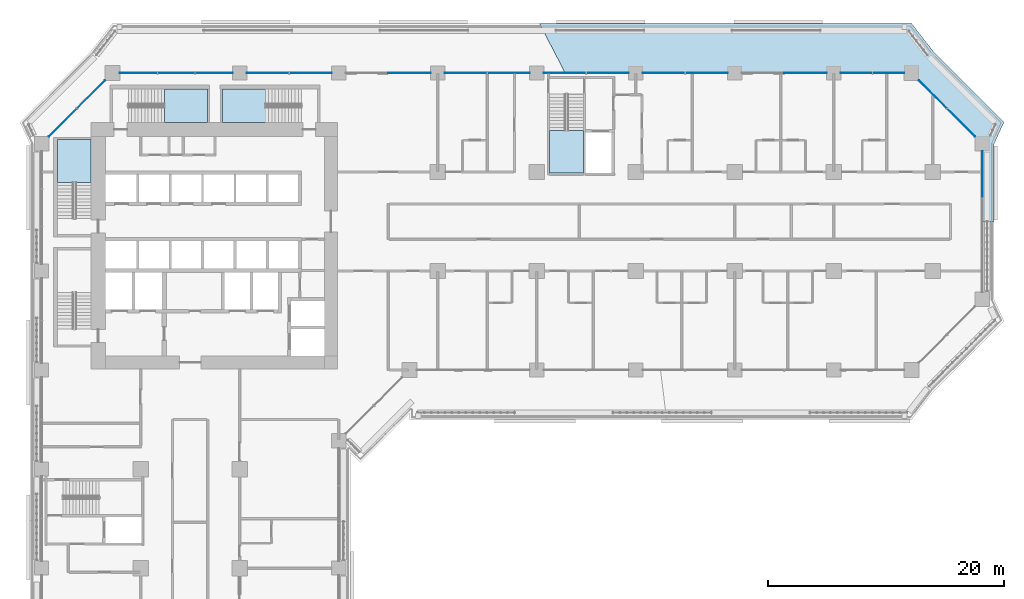
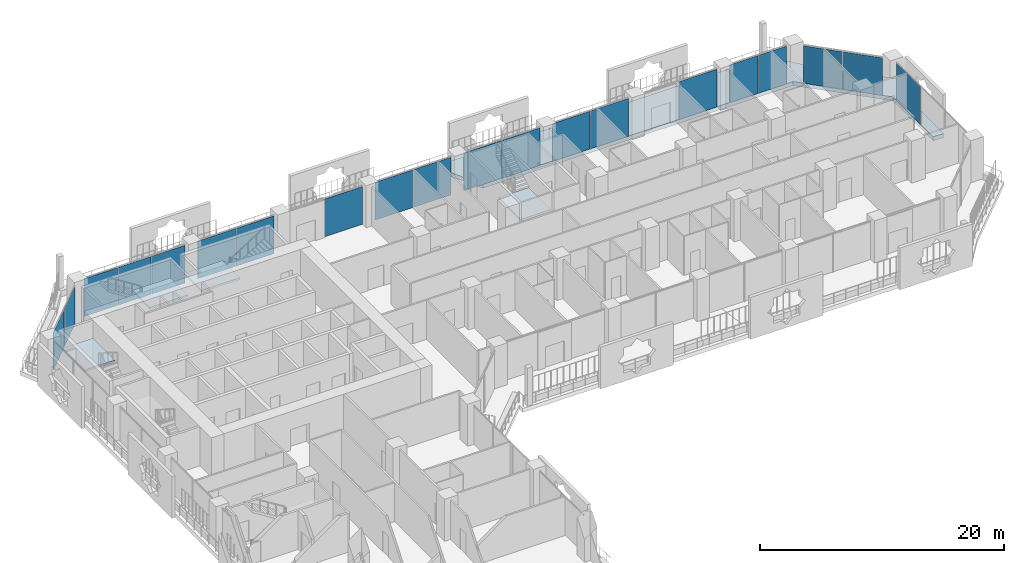
# One storey, part 12 of 28: 20 plates, 5 slabs, 8 elements without a shape of their own.
"""IFC4 building model written with IfcOpenShell, lengths in metres."""

from ifc_helpers import new_model, si_unit, direction, frame, origin, origin_2d, place, context, subcontext, project, spatial, polyline, rectangle, outline, extrude, material, layer, layer_set, type_object, element, aggregate, save


model = new_model("IFC4")

# Units and contexts
model_context = context("Model", 3, precision=1e-05, world=origin(), true_north=direction((0.0, 1.0)))
body_context = subcontext(model_context, "Body", "Model", "MODEL_VIEW")
ifc_project = project(units=[si_unit("LENGTHUNIT", "METRE"), si_unit("AREAUNIT", "SQUARE_METRE"), si_unit("VOLUMEUNIT", "CUBIC_METRE"), si_unit("PLANEANGLEUNIT", "RADIAN"), si_unit("MASSUNIT", "GRAM", prefix="KILO")], contexts=[model_context])

# Site, building, storey
site_placement = place(None, origin())
site = spatial("IfcSite", under=ifc_project, at=site_placement, CompositionType="ELEMENT")
building_placement = place(site_placement, origin())
building = spatial("IfcBuilding", under=site, at=building_placement, Name="Kawkab Arch Medical Tower", CompositionType="ELEMENT")
storey_placement = place(building_placement, frame((0.0, 0.0, 77.0)))
storey = spatial("IfcBuildingStorey", under=building, at=storey_placement, Name="L17", CompositionType="ELEMENT", Elevation=77.0)

# Curtain wall, plate
ifc_material_1 = material(Name="Bronze anodised aluminium curtain wall frame", Category="aluminium")
ifc_layer_1 = layer(ifc_material_1, 0.159912109375)
ifc_layer_set_1 = layer_set([ifc_layer_1], Name="Bronze anodised aluminium curtain wall frame")
curtain_wall_type_1 = type_object("IfcCurtainWallType", Name="CW1 ward curtain wall", PredefinedType="NOTDEFINED", material=ifc_layer_set_1)
placement_1 = place(storey_placement, origin())
curtain_wall_1 = element("IfcCurtainWall", 1, at=placement_1, inside=storey, type_object=curtain_wall_type_1, Name="CW1 Ward curtain wall R09", PredefinedType="NOTDEFINED")
ifc_material_2 = material(Name="Tinted insulating glass, bronze low-e coating", Category="glass")
ifc_layer_2 = layer(ifc_material_2, 0.031982421875)
ifc_layer_set_2 = layer_set([ifc_layer_2], Name="Tinted insulating glass, bronze low-e coating")
plate_type_1 = type_object("IfcPlateType", Name="CW1 glazing unit 32", PredefinedType="CURTAIN_PANEL", material=ifc_layer_set_2)
plate_1_placement = place(storey_placement, frame((79.800048828125, -8.6015625, 0.0), z_axis=(0.0, 0.0, 1.0), x_axis=(0.0, 1.0, 0.0)))
plate_1 = element("IfcPlate", 2, at=plate_1_placement, type_object=plate_type_1, Name="CW1 glazing unit 1.3", PredefinedType="CURTAIN_PANEL", context=body_context, shape_type="SweptSolid", body=[
    extrude(rectangle(XDim=3.953369140625, YDim=0.031982421875, at=origin_2d()), origin(), (0.0, 0.0, 1.0), 3.780029296875),
])
aggregate(curtain_wall_1, [plate_1])

# Curtain wall, plates
curtain_wall_2 = element("IfcCurtainWall", 3, at=placement_1, inside=storey, type_object=curtain_wall_type_1, Name="CW1 Ward curtain wall R11", PredefinedType="NOTDEFINED")
plate_2_placement = place(storey_placement, frame((71.84619140625, 0.0, 0.0), z_axis=(0.0, 0.0, 1.0), x_axis=(-1.0, 0.0, 0.0)))
plate_2 = element("IfcPlate", 4, at=plate_2_placement, type_object=plate_type_1, Name="CW1 glazing unit 1.1", PredefinedType="CURTAIN_PANEL", context=body_context, shape_type="SweptSolid", body=[
    extrude(rectangle(XDim=2.657470703125, YDim=0.031982421875, at=origin_2d()), origin(), (0.0, 0.0, 1.0), 3.780029296875),
])
plate_3_placement = place(storey_placement, frame((69.128662109375, 0.0, 0.0), z_axis=(0.0, 0.0, 1.0), x_axis=(-1.0, 0.0, 0.0)))
plate_3 = element("IfcPlate", 5, at=plate_3_placement, type_object=plate_type_1, Name="CW1 glazing unit 1.2", PredefinedType="CURTAIN_PANEL", context=body_context, shape_type="SweptSolid", body=[
    extrude(rectangle(XDim=2.657470703125, YDim=0.031982421875, at=origin_2d()), origin(), (0.0, 0.0, 1.0), 3.780029296875),
])
plate_4_placement = place(storey_placement, frame((64.800048828125, 0.0, 0.0), z_axis=(0.0, 0.0, 1.0), x_axis=(-1.0, 0.0, 0.0)))
plate_4 = element("IfcPlate", 6, at=plate_4_placement, type_object=plate_type_1, Name="CW1 glazing unit 2.1", PredefinedType="CURTAIN_PANEL", context=body_context, shape_type="SweptSolid", body=[
    extrude(rectangle(XDim=3.60009765625, YDim=0.031982421875, at=origin_2d()), origin(), (0.0, 0.0, 1.0), 3.780029296875),
])
plate_5_placement = place(storey_placement, frame((56.4150390625, 0.0, 0.0), z_axis=(0.0, 0.0, 1.0), x_axis=(-1.0, 0.0, 0.0)))
plate_5 = element("IfcPlate", 7, at=plate_5_placement, type_object=plate_type_1, Name="CW1 glazing unit 3.1", PredefinedType="CURTAIN_PANEL", context=body_context, shape_type="SweptSolid", body=[
    extrude(rectangle(XDim=3.570068359375, YDim=0.031982421875, at=origin_2d()), origin(), (0.0, 0.0, 1.0), 3.780029296875),
])
plate_6_placement = place(storey_placement, frame((52.784912109375, 0.0, 0.0), z_axis=(0.0, 0.0, 1.0), x_axis=(-1.0, 0.0, 0.0)))
plate_6 = element("IfcPlate", 8, at=plate_6_placement, type_object=plate_type_1, Name="CW1 glazing unit 3.2", PredefinedType="CURTAIN_PANEL", context=body_context, shape_type="SweptSolid", body=[
    extrude(rectangle(XDim=3.570068359375, YDim=0.031982421875, at=origin_2d()), origin(), (0.0, 0.0, 1.0), 3.780029296875),
])
plate_7_placement = place(storey_placement, frame((48.014892578125, 0.0, 0.0), z_axis=(0.0, 0.0, 1.0), x_axis=(-1.0, 0.0, 0.0)))
plate_7 = element("IfcPlate", 9, at=plate_7_placement, type_object=plate_type_1, Name="CW1 glazing unit 4.1", PredefinedType="CURTAIN_PANEL", context=body_context, shape_type="SweptSolid", body=[
    extrude(rectangle(XDim=3.570068359375, YDim=0.031982421875, at=origin_2d()), origin(), (0.0, 0.0, 1.0), 3.780029296875),
])
plate_8_placement = place(storey_placement, frame((44.385009765625, 0.0, 0.0), z_axis=(0.0, 0.0, 1.0), x_axis=(-1.0, 0.0, 0.0)))
plate_8 = element("IfcPlate", 10, at=plate_8_placement, type_object=plate_type_1, Name="CW1 glazing unit 4.2", PredefinedType="CURTAIN_PANEL", context=body_context, shape_type="SweptSolid", body=[
    extrude(rectangle(XDim=3.570068359375, YDim=0.031982421875, at=origin_2d()), origin(), (0.0, 0.0, 1.0), 3.780029296875),
])
plate_9_placement = place(storey_placement, frame((39.614990234375, 0.0, 0.0), z_axis=(0.0, 0.0, 1.0), x_axis=(-1.0, 0.0, 0.0)))
plate_9 = element("IfcPlate", 11, at=plate_9_placement, type_object=plate_type_1, Name="CW1 glazing unit 5.1", PredefinedType="CURTAIN_PANEL", context=body_context, shape_type="SweptSolid", body=[
    extrude(rectangle(XDim=3.570068359375, YDim=0.031982421875, at=origin_2d()), origin(), (0.0, 0.0, 1.0), 3.780029296875),
])
plate_10_placement = place(storey_placement, frame((35.985107421875, 0.0, 0.0), z_axis=(0.0, 0.0, 1.0), x_axis=(-1.0, 0.0, 0.0)))
plate_10 = element("IfcPlate", 12, at=plate_10_placement, type_object=plate_type_1, Name="CW1 glazing unit 5.2", PredefinedType="CURTAIN_PANEL", context=body_context, shape_type="SweptSolid", body=[
    extrude(rectangle(XDim=3.570068359375, YDim=0.031982421875, at=origin_2d()), origin(), (0.0, 0.0, 1.0), 3.780029296875),
])
plate_11_placement = place(storey_placement, frame((31.199951171875, 0.0, 0.0), z_axis=(0.0, 0.0, 1.0), x_axis=(-1.0, 0.0, 0.0)))
plate_11 = element("IfcPlate", 13, at=plate_11_placement, type_object=plate_type_1, Name="CW1 glazing unit 6.1", PredefinedType="CURTAIN_PANEL", context=body_context, shape_type="SweptSolid", body=[
    extrude(rectangle(XDim=3.60009765625, YDim=0.031982421875, at=origin_2d()), origin(), (0.0, 0.0, 1.0), 3.780029296875),
])
plate_12_placement = place(storey_placement, frame((22.81494140625, 0.0, 0.0), z_axis=(0.0, 0.0, 1.0), x_axis=(-1.0, 0.0, 0.0)))
plate_12 = element("IfcPlate", 14, at=plate_12_placement, type_object=plate_type_1, Name="CW1 glazing unit 7.1", PredefinedType="CURTAIN_PANEL", context=body_context, shape_type="SweptSolid", body=[
    extrude(rectangle(XDim=3.570068359375, YDim=0.031982421875, at=origin_2d()), origin(), (0.0, 0.0, 1.0), 3.780029296875),
])
plate_13_placement = place(storey_placement, frame((19.18505859375, 0.0, 0.0), z_axis=(0.0, 0.0, 1.0), x_axis=(-1.0, 0.0, 0.0)))
plate_13 = element("IfcPlate", 15, at=plate_13_placement, type_object=plate_type_1, Name="CW1 glazing unit 7.2", PredefinedType="CURTAIN_PANEL", context=body_context, shape_type="SweptSolid", body=[
    extrude(rectangle(XDim=3.570068359375, YDim=0.031982421875, at=origin_2d()), origin(), (0.0, 0.0, 1.0), 3.780029296875),
])
plate_14_placement = place(storey_placement, frame((14.619140625, 0.0, 0.0), z_axis=(0.0, 0.0, 1.0), x_axis=(-1.0, 0.0, 0.0)))
plate_14 = element("IfcPlate", 16, at=plate_14_placement, type_object=plate_type_1, Name="CW1 glazing unit 8.1", PredefinedType="CURTAIN_PANEL", context=body_context, shape_type="SweptSolid", body=[
    extrude(rectangle(XDim=3.16162109375, YDim=0.031982421875, at=origin_2d()), origin(), (0.0, 0.0, 1.0), 3.780029296875),
])
plate_15_placement = place(storey_placement, frame((11.41259765625, 0.0, 0.0), z_axis=(0.0, 0.0, 1.0), x_axis=(-1.0, 0.0, 0.0)))
plate_15 = element("IfcPlate", 17, at=plate_15_placement, type_object=plate_type_1, Name="CW1 glazing unit 8.2", PredefinedType="CURTAIN_PANEL", context=body_context, shape_type="SweptSolid", body=[
    extrude(rectangle(XDim=3.131591796875, YDim=0.031982421875, at=origin_2d()), origin(), (0.0, 0.0, 1.0), 3.780029296875),
])
plate_16_placement = place(storey_placement, frame((8.205810546875, 0.0, 0.0), z_axis=(0.0, 0.0, 1.0), x_axis=(-1.0, 0.0, 0.0)))
plate_16 = element("IfcPlate", 18, at=plate_16_placement, type_object=plate_type_1, Name="CW1 glazing unit 8.3", PredefinedType="CURTAIN_PANEL", context=body_context, shape_type="SweptSolid", body=[
    extrude(rectangle(XDim=3.16162109375, YDim=0.031982421875, at=origin_2d()), origin(), (0.0, 0.0, 1.0), 3.780029296875),
])
aggregate(curtain_wall_2, [plate_2, plate_3, plate_4, plate_5, plate_6, plate_7, plate_8, plate_9, plate_10, plate_11, plate_12, plate_13, plate_14, plate_15, plate_16])

ifc_material_3 = material(Name="Bronze anodised aluminium curtain wall frame", Category="aluminium")
ifc_layer_3 = layer(ifc_material_3, 0.159912109375)
ifc_layer_set_3 = layer_set([ifc_layer_3], Name="Bronze anodised aluminium curtain wall frame")
curtain_wall_type_2 = type_object("IfcCurtainWallType", Name="CW2 chamfer curtain wall", PredefinedType="NOTDEFINED", material=ifc_layer_set_3)
curtain_wall_3 = element("IfcCurtainWall", 19, at=placement_1, inside=storey, type_object=curtain_wall_type_2, Name="CW2 Chamfer curtain wall R10", PredefinedType="NOTDEFINED")
ifc_material_4 = material(Name="Tinted insulating glass, bronze low-e coating", Category="glass")
ifc_layer_4 = layer(ifc_material_4, 0.031982421875)
ifc_layer_set_4 = layer_set([ifc_layer_4], Name="Tinted insulating glass, bronze low-e coating")
plate_type_2 = type_object("IfcPlateType", Name="CW2 glazing unit 32", PredefinedType="CURTAIN_PANEL", material=ifc_layer_set_4)
plate_17_placement = place(storey_placement, frame((77.998046875, -4.197998046875, 0.0), z_axis=(0.0, 0.0, 1.0), x_axis=(-0.707106781187, 0.707106781187, 0.0)))
plate_17 = element("IfcPlate", 20, at=plate_17_placement, type_object=plate_type_2, Name="CW2 glazing unit 1.1", PredefinedType="CURTAIN_PANEL", context=body_context, shape_type="SweptSolid", body=[
    extrude(rectangle(XDim=3.328857421875, YDim=0.031982421875, at=origin_2d()), origin(), (0.0, 0.0, 1.0), 3.760009765625),
])
plate_18_placement = place(storey_placement, frame((75.601806640625, -1.802001953125, 0.0), z_axis=(0.0, 0.0, 1.0), x_axis=(-0.707106781187, 0.707106781187, 0.0)))
plate_18 = element("IfcPlate", 21, at=plate_18_placement, type_object=plate_type_2, Name="CW2 glazing unit 1.2", PredefinedType="CURTAIN_PANEL", context=body_context, shape_type="SweptSolid", body=[
    extrude(rectangle(XDim=3.328857421875, YDim=0.031982421875, at=origin_2d()), origin(), (0.0, 0.0, 1.0), 3.760009765625),
])
aggregate(curtain_wall_3, [plate_17, plate_18])

curtain_wall_4 = element("IfcCurtainWall", 22, at=placement_1, inside=storey, type_object=curtain_wall_type_2, Name="CW2 Chamfer curtain wall R12", PredefinedType="NOTDEFINED")
plate_19_placement = place(storey_placement, frame((4.197998046875, -1.802001953125, 0.0), z_axis=(0.0, 0.0, 1.0), x_axis=(-0.707106781187, -0.707106781187, 0.0)))
plate_19 = element("IfcPlate", 23, at=plate_19_placement, type_object=plate_type_2, Name="CW2 glazing unit 1.1", PredefinedType="CURTAIN_PANEL", context=body_context, shape_type="SweptSolid", body=[
    extrude(rectangle(XDim=3.328857421875, YDim=0.031982421875, at=origin_2d()), origin(), (0.0, 0.0, 1.0), 3.760009765625),
])
plate_20_placement = place(storey_placement, frame((1.802001953125, -4.197998046875, 0.0), z_axis=(0.0, 0.0, 1.0), x_axis=(-0.707106781187, -0.707106781187, 0.0)))
plate_20 = element("IfcPlate", 24, at=plate_20_placement, type_object=plate_type_2, Name="CW2 glazing unit 1.2", PredefinedType="CURTAIN_PANEL", context=body_context, shape_type="SweptSolid", body=[
    extrude(rectangle(XDim=3.328857421875, YDim=0.031982421875, at=origin_2d()), origin(), (0.0, 0.0, 1.0), 3.760009765625),
])
aggregate(curtain_wall_4, [plate_19, plate_20])

# Stair, slab
ifc_material_5 = material(Name="Concrete C40/50", Category="concrete")
stair_type = type_object("IfcStairType", Name="Exit stair 1350", PredefinedType="HALF_TURN_STAIR", material=ifc_material_5)
stair_1 = element("IfcStair", 25, at=placement_1, inside=storey, type_object=stair_type, Name="L17 Exit stair ST1", PredefinedType="HALF_TURN_STAIR")
ifc_material_6 = material(Name="Concrete C40/50", Category="concrete")
ifc_layer_5 = layer(ifc_material_6, 0.199951171875)
ifc_layer_set_5 = layer_set([ifc_layer_5], Name="Concrete C40/50")
slab_type_1 = type_object("IfcSlabType", Name="Exit stair landing 200", PredefinedType="LANDING", material=ifc_layer_set_5)
placement_2 = place(storey_placement, frame((0.0, 0.0, 1.89990234375)))
slab_1 = element("IfcSlab", 26, at=placement_2, type_object=slab_type_1, Name="ST1 landing 1", PredefinedType="LANDING", context=body_context, shape_type="SweptSolid", body=[
    extrude(outline(polyline([(4.199951171875, -9.27001953125), (4.199951171875, -5.64990234375), (1.35009765625, -5.64990234375), (1.35009765625, -9.27001953125), (4.199951171875, -9.27001953125)])), origin(), (0.0, 0.0, 1.0), 0.2001953125),
])
aggregate(stair_1, [slab_1])

stair_2 = element("IfcStair", 27, at=placement_1, inside=storey, type_object=stair_type, Name="L17 Exit stair ST3", PredefinedType="HALF_TURN_STAIR")
slab_2 = element("IfcSlab", 28, at=placement_2, type_object=slab_type_1, Name="ST3 landing 1", PredefinedType="LANDING", context=body_context, shape_type="SweptSolid", body=[
    extrude(outline(polyline([(10.429931640625, -4.199951171875), (14.050048828125, -4.199951171875), (14.050048828125, -1.35009765625), (10.429931640625, -1.35009765625), (10.429931640625, -4.199951171875)])), origin(), (0.0, 0.0, 1.0), 0.2001953125),
])
aggregate(stair_2, [slab_2])

stair_3 = element("IfcStair", 29, at=placement_1, inside=storey, type_object=stair_type, Name="L17 Exit stair ST4", PredefinedType="HALF_TURN_STAIR")
slab_3 = element("IfcSlab", 30, at=placement_2, type_object=slab_type_1, Name="ST4 landing 1", PredefinedType="LANDING", context=body_context, shape_type="SweptSolid", body=[
    extrude(outline(polyline([(18.969970703125, -1.35009765625), (15.35009765625, -1.35009765625), (15.35009765625, -4.199951171875), (18.969970703125, -4.199951171875), (18.969970703125, -1.35009765625)])), origin(), (0.0, 0.0, 1.0), 0.2001953125),
])
aggregate(stair_3, [slab_3])

stair_4 = element("IfcStair", 31, at=placement_1, inside=storey, type_object=stair_type, Name="L17 Exit stair ST5", PredefinedType="HALF_TURN_STAIR")
slab_4 = element("IfcSlab", 32, at=placement_2, type_object=slab_type_1, Name="ST5 landing 1", PredefinedType="LANDING", context=body_context, shape_type="SweptSolid", body=[
    extrude(outline(polyline([(43.10009765625, -4.8798828125), (43.10009765625, -8.5), (45.949951171875, -8.5), (45.949951171875, -4.8798828125), (43.10009765625, -4.8798828125)])), origin(), (0.0, 0.0, 1.0), 0.2001953125),
])
aggregate(stair_4, [slab_4])

# Slab
ifc_material_7 = material(Name="Concrete C40/50", Category="concrete")
ifc_layer_6 = layer(ifc_material_7, 0.39990234375)
ifc_layer_set_6 = layer_set([ifc_layer_6], Name="Concrete C40/50")
slab_type_2 = type_object("IfcSlabType", Name="Loggia slab 400", PredefinedType="FLOOR", material=ifc_layer_set_6)
slab_5_placement = place(storey_placement, frame((0.0, 0.0, -0.39990234375)))
element("IfcSlab", 33, at=slab_5_placement, inside=storey, type_object=slab_type_2, Name="Loggia slab L17.6", PredefinedType="FLOOR", context=body_context, shape_type="SweptSolid", body=[
    extrude(outline(polyline([(75.637939453125, 1.837890625), (81.637939453125, -4.162109375), (80.800048828125, -6.0), (80.800048828125, -12.60009765625), (79.800048828125, -12.60009765625), (79.800048828125, -6.0), (73.800048828125, 0.0), (73.800048828125, 0.0009765625), (44.410888671875, 0.0009765625), (42.23388671875, 4.199951171875), (73.800048828125, 4.199951171875), (75.637939453125, 1.837890625)])), origin(), (0.0, 0.0, 1.0), 0.39990234375),
])

save(model, "model.ifc")
